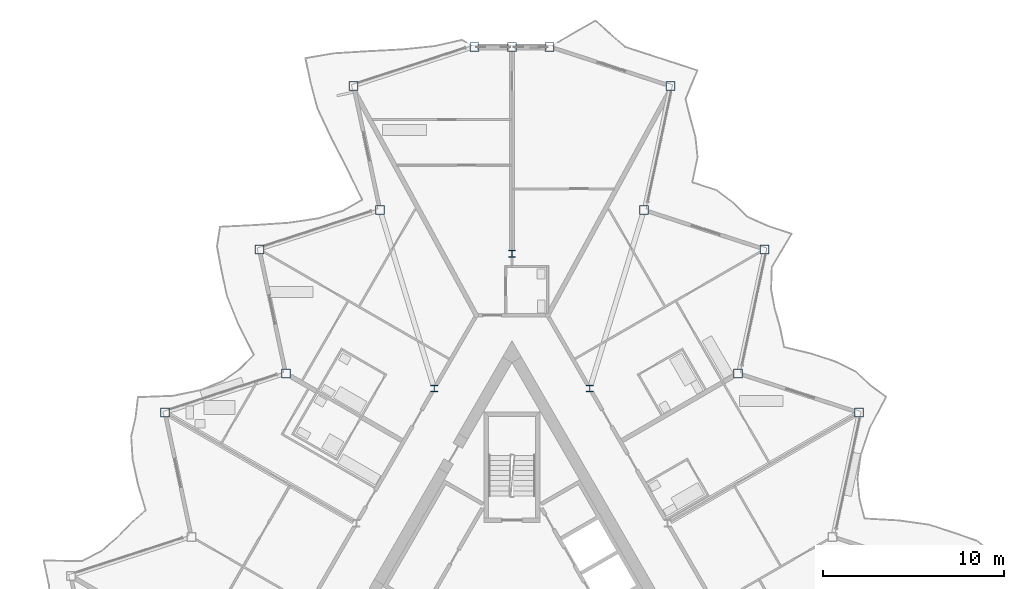
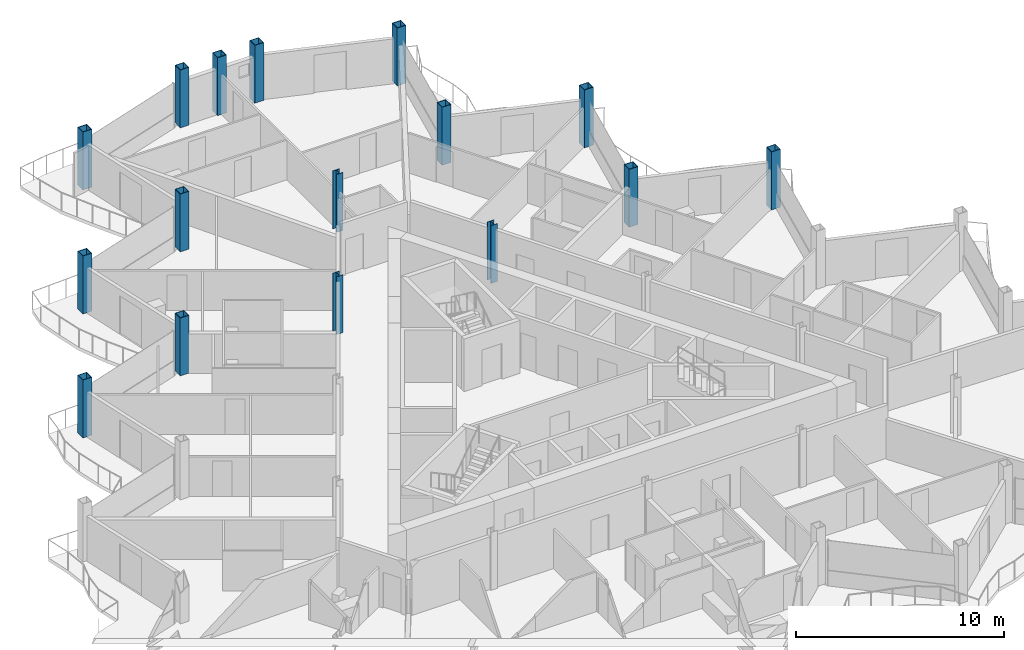
# One storey, part 3 of 26: 16 columns.
"""IFC4 building model written with IfcOpenShell, lengths in metres."""

from ifc_helpers import new_model, si_unit, direction, frame, origin, origin_2d, place, context, subcontext, project, spatial, hollow_rectangle, i_section, extrude, material, material_profile, profile_set, type_object, element, save


model = new_model("IFC4")

# Units and contexts
model_context = context("Model", 3, precision=1e-05, world=origin(), true_north=direction((0.0, 1.0)))
body_context = subcontext(model_context, "Body", "Model", "MODEL_VIEW")
ifc_project = project(units=[si_unit("LENGTHUNIT", "METRE"), si_unit("AREAUNIT", "SQUARE_METRE"), si_unit("VOLUMEUNIT", "CUBIC_METRE"), si_unit("PLANEANGLEUNIT", "RADIAN"), si_unit("MASSUNIT", "GRAM", prefix="KILO")], contexts=[model_context])

# Site, building, storey
site_placement = place(None, origin())
site = spatial("IfcSite", under=ifc_project, at=site_placement, CompositionType="ELEMENT")
building_placement = place(site_placement, origin())
building = spatial("IfcBuilding", under=site, at=building_placement, Name="Cormorant Prow Tower", CompositionType="ELEMENT")
storey_placement = place(building_placement, frame((0.0, 0.0, 401.800048828125)))
storey = spatial("IfcBuildingStorey", under=building, at=storey_placement, Name="L92", CompositionType="ELEMENT", Elevation=401.800048828125)

# Columns
ifc_material_1 = material(Name="Structural steel ASTM A572 Gr 50", Category="steel")
ifc_material_profile_1 = material_profile(ifc_material_1, hollow_rectangle(XDim=0.5, YDim=0.5, WallThickness=0.030029296875, at=origin_2d()), Name="Box 500x500x30")
ifc_profile_set_1 = profile_set([ifc_material_profile_1], Name="Structural steel ASTM A572 Gr 50")
column_type_1 = type_object("IfcColumnType", Name="Perimeter box column 500x500x30", PredefinedType="COLUMN", material=ifc_profile_set_1)
for number, where, z_axis, x_axis, name in (
    (1, (19.128662109375, 11.0439453125, 0.0), (0.0, 0.0, 1.0), (1.0, 0.0, 0.0), "Perimeter column C7 at ENE05 L92"),
    (2, (12.473876953125, 13.206298828125, 0.0), (0.0, 0.0, 1.0), (1.0, 0.0, 0.0), "Perimeter column C7 at ENE06 L92"),
    (3, (13.9287109375, 20.050537109375, 0.0), (0.0, 0.0, 1.0), (1.0, 0.0, 0.0), "Perimeter column C7 at ENE07 L92"),
    (4, (7.273681640625, 22.212890625, 0.0), (0.0, 0.0, 1.0), (1.0, 0.0, 0.0), "Perimeter column C7 at ENE08 L92"),
    (5, (8.728515625, 29.05712890625, 0.0), (0.0, 0.0, 1.0), (1.0, 0.0, 0.0), "Perimeter column C7 at ENE09 L92"),
    (6, (2.07373046875, 31.219482421875, 0.0), (0.0, 0.0, 1.0), (1.0, 0.0, 0.0), "Perimeter column C7 at N00 L92"),
    (7, (0.0, 31.219482421875, 0.0), (0.0, 0.0, 1.0), (1.0, 0.0, 0.0), "Perimeter column C7 at N01 L92"),
    (8, (-2.07373046875, 31.219482421875, 0.0), (0.0, 0.0, 1.0), (1.0, 0.0, 0.0), "Perimeter column C7 at WNW00 L92"),
    (9, (-8.728515625, 29.05712890625, 0.0), (0.0, 0.0, 1.0), (1.0, 0.0, 0.0), "Perimeter column C7 at WNW01 L92"),
    (10, (-7.273681640625, 22.212890625, 0.0), (0.0, 0.0, 1.0), (1.0, 0.0, 0.0), "Perimeter column C7 at WNW02 L92"),
    (11, (-13.9287109375, 20.050537109375, 0.0), (0.0, 0.0, 1.0), (1.0, 0.0, 0.0), "Perimeter column C7 at WNW03 L92"),
    (12, (-12.473876953125, 13.206298828125, 0.0), (0.0, 0.0, 1.0), (1.0, 0.0, 0.0), "Perimeter column C7 at WNW04 L92"),
    (13, (-19.128662109375, 11.0439453125, 0.0), (0.0, 0.0, 1.0), (1.0, 0.0, 0.0), "Perimeter column C7 at WNW05 L92"),
):
    element("IfcColumn", number, at=place(storey_placement, frame(where, z_axis=z_axis, x_axis=x_axis)), inside=storey, type_object=column_type_1, Name=name, PredefinedType="COLUMN", context=body_context, shape_type="SweptSolid", body=[
        extrude(hollow_rectangle(XDim=0.5, YDim=0.5, WallThickness=0.030029296875, at=origin_2d()), origin(), (0.0, 0.0, 1.0), 3.39990234375),
    ])
ifc_material_2 = material(Name="Structural steel ASTM A992 Gr 50", Category="steel")
ifc_material_profile_2 = material_profile(ifc_material_2, i_section(OverallWidth=0.3740234375, OverallDepth=0.372314453125, WebThickness=0.016357421875, FlangeThickness=0.026123046875, at=origin_2d()), Name="W14x132")
ifc_profile_set_2 = profile_set([ifc_material_profile_2], Name="Structural steel ASTM A992 Gr 50")
column_type_2 = type_object("IfcColumnType", Name="Ring column W14x132", PredefinedType="COLUMN", material=ifc_profile_set_2)
for number, where, z_axis, x_axis, name in (
    (14, (0.0, 19.81103515625, 0.0), (0.0, 0.0, 1.0), (1.0, 0.0, 0.0), "Ring column 1 L92"),
    (15, (-4.289306640625, 12.3818359375, 0.0), (0.0, 0.0, 1.0), (1.0, 0.0, 0.0), "Ring column 2 L92"),
    (16, (4.289306640625, 12.3818359375, 0.0), (0.0, 0.0, 1.0), (1.0, 0.0, 0.0), "Ring column 12 L92"),
):
    element("IfcColumn", number, at=place(storey_placement, frame(where, z_axis=z_axis, x_axis=x_axis)), inside=storey, type_object=column_type_2, Name=name, PredefinedType="COLUMN", context=body_context, shape_type="SweptSolid", body=[
        extrude(i_section(OverallWidth=0.3740234375, OverallDepth=0.372314453125, WebThickness=0.016357421875, FlangeThickness=0.026123046875, at=origin_2d()), origin(), (0.0, 0.0, 1.0), 3.39990234375),
    ])

save(model, "model.ifc")
